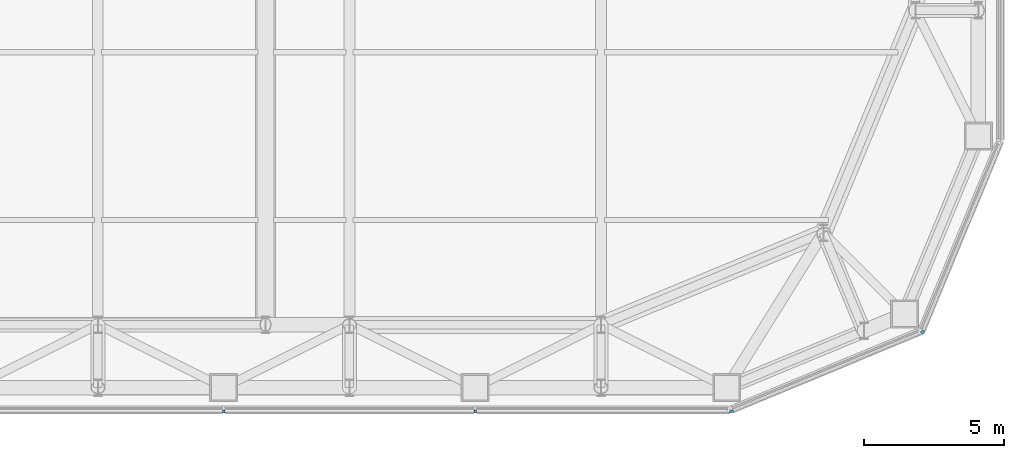
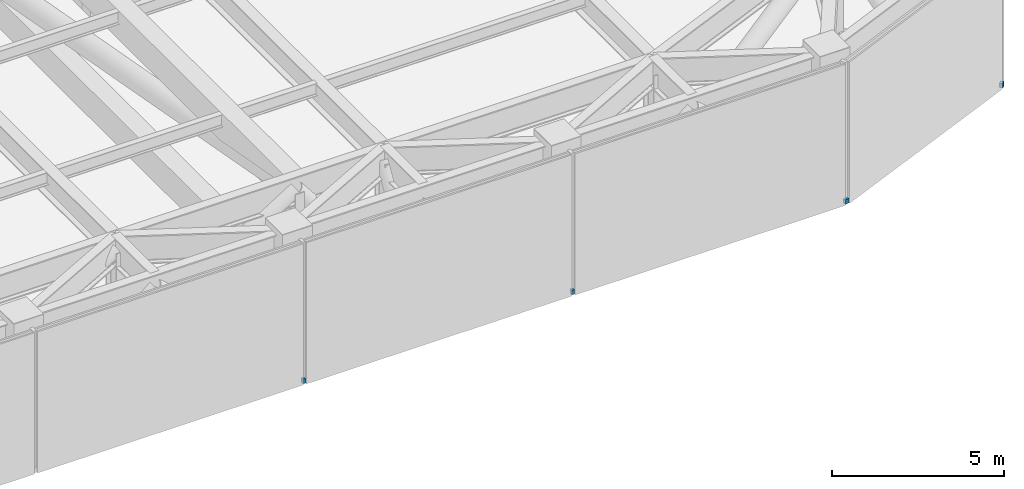
# One storey, part 22 of 33: 4 discrete accessories.
"""IFC4 building model written with IfcOpenShell, lengths in metres."""

from ifc_helpers import new_model, si_unit, direction, frame, origin, origin_2d, place, context, subcontext, project, spatial, rectangle, extrude, material, type_object, element, save


model = new_model("IFC4")

# Units and contexts
model_context = context("Model", 3, precision=1e-05, world=origin(), true_north=direction((0.0, 1.0)))
body_context = subcontext(model_context, "Body", "Model", "MODEL_VIEW")
ifc_project = project(units=[si_unit("LENGTHUNIT", "METRE"), si_unit("AREAUNIT", "SQUARE_METRE"), si_unit("VOLUMEUNIT", "CUBIC_METRE"), si_unit("PLANEANGLEUNIT", "RADIAN"), si_unit("MASSUNIT", "GRAM", prefix="KILO")], contexts=[model_context])

# Site, building, storey
site_placement = place(None, origin())
site = spatial("IfcSite", under=ifc_project, at=site_placement, CompositionType="ELEMENT")
building_placement = place(site_placement, origin())
building = spatial("IfcBuilding", under=site, at=building_placement, Name="Siwar Civic Tower", CompositionType="ELEMENT")
storey_placement = place(building_placement, frame((0.0, 0.0, 94.199951171875)))
storey = spatial("IfcBuildingStorey", under=building, at=storey_placement, Name="L20", CompositionType="ELEMENT", Elevation=94.199951171875)

# Discrete accessories
ifc_material = material(Name="Stainless steel 316", Category="steel")
discrete_accessory_type = type_object("IfcDiscreteAccessoryType", Name="ENV-BRACKET", PredefinedType="BRACKET", material=ifc_material)
for number, where, z_axis, x_axis, name in (
    (1, (4.5, -32.35009765625, -0.1796875), (0.0, 0.0, 1.0), (0.0, -1.0, 0.0), "Bracket outer skin joint S-03"),
    (2, (13.5, -32.35009765625, -0.1796875), (0.0, 0.0, 1.0), (0.0, -1.0, 0.0), "Bracket outer skin joint S-04"),
):
    element("IfcDiscreteAccessory", number, at=place(storey_placement, frame(where, z_axis=z_axis, x_axis=x_axis)), inside=storey, type_object=discrete_accessory_type, Name=name, PredefinedType="BRACKET", context=body_context, shape_type="SweptSolid", body=[
        extrude(rectangle(XDim=0.10009765625, YDim=0.10009765625, at=origin_2d()), origin(), (0.0, 0.0, 1.0), 0.159912109375),
    ])
discrete_accessory_1_placement = place(storey_placement, frame((22.669189453125, -32.35009765625, -0.1796875), z_axis=(0.0, 0.0, 1.0), x_axis=(0.195090322016, -0.980785280403, 0.0)))
element("IfcDiscreteAccessory", 3, at=discrete_accessory_1_placement, inside=storey, type_object=discrete_accessory_type, Name="Bracket outer skin joint V01", PredefinedType="BRACKET", context=body_context, shape_type="SweptSolid", body=[
    extrude(rectangle(XDim=0.10205078125, YDim=0.13720703125, at=origin_2d()), origin(), (0.0, 0.0, 1.0), 0.159912109375),
])
discrete_accessory_2_placement = place(storey_placement, frame((29.514404296875, -29.514404296875, -0.1796875), z_axis=(0.0, 0.0, 1.0), x_axis=(0.707106781187, -0.707106781187, 0.0)))
element("IfcDiscreteAccessory", 4, at=discrete_accessory_2_placement, inside=storey, type_object=discrete_accessory_type, Name="Bracket outer skin joint V02", PredefinedType="BRACKET", context=body_context, shape_type="SweptSolid", body=[
    extrude(rectangle(XDim=0.108154296875, YDim=0.12939453125, at=origin_2d()), origin(), (0.0, 0.0, 1.0), 0.159912109375),
])

save(model, "model.ifc")
